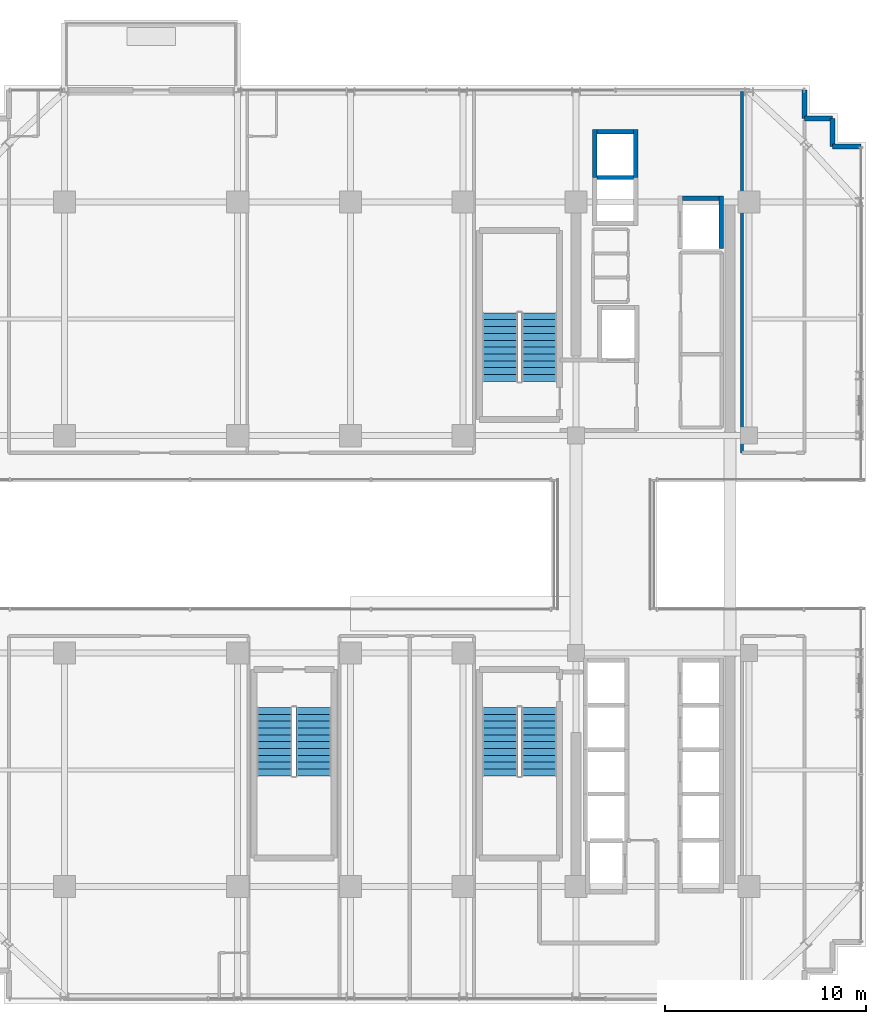
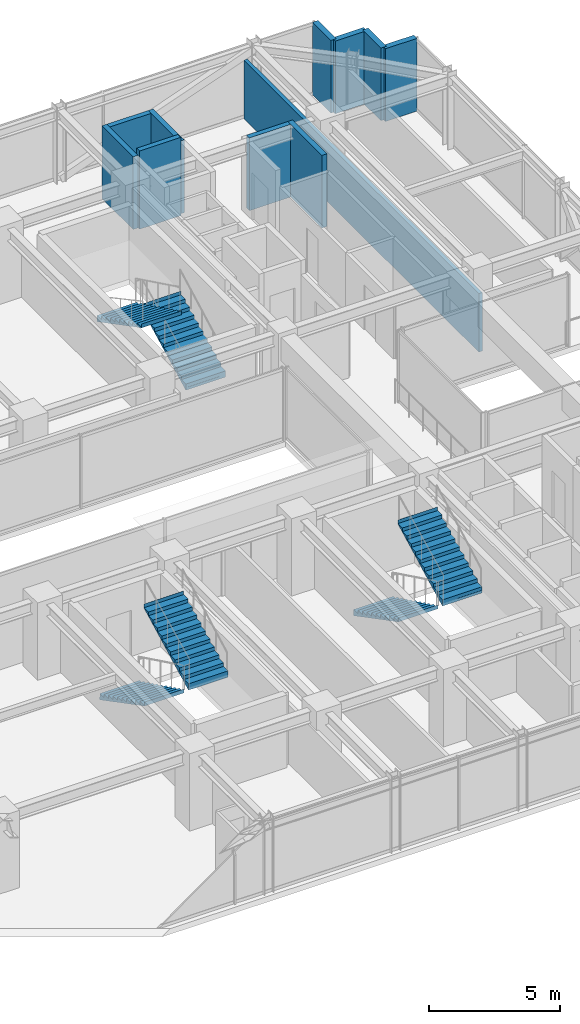
# One storey, part 33 of 37: 11 walls, 6 stair flights, 3 elements without a shape of their own.
"""IFC4 building model written with IfcOpenShell, lengths in metres."""

from ifc_helpers import new_model, si_unit, direction, frame, frame_2d, origin, place, context, subcontext, project, spatial, polyline, rectangle, outline, extrude, source, transform, mapped, material, layer, layer_set, type_object, element, aggregate, save


model = new_model("IFC4")

# Units and contexts
model_context = context("Model", 3, precision=1e-05, world=origin(), true_north=direction((0.0, 1.0)))
body_context = subcontext(model_context, "Body", "Model", "MODEL_VIEW")
ifc_project = project(units=[si_unit("LENGTHUNIT", "METRE"), si_unit("AREAUNIT", "SQUARE_METRE"), si_unit("VOLUMEUNIT", "CUBIC_METRE"), si_unit("PLANEANGLEUNIT", "RADIAN"), si_unit("MASSUNIT", "GRAM", prefix="KILO")], contexts=[model_context])

# Site, building, storey
site_placement = place(None, origin())
site = spatial("IfcSite", under=ifc_project, at=site_placement, CompositionType="ELEMENT")
building_placement = place(site_placement, origin())
building = spatial("IfcBuilding", under=site, at=building_placement, Name="Nahalor Promenade Grand Hotel", CompositionType="ELEMENT")
storey_placement = place(building_placement, frame((0.0, 0.0, 167.25)))
storey = spatial("IfcBuildingStorey", under=building, at=storey_placement, Name="L42", CompositionType="ELEMENT", Elevation=167.25)

# Walls
ifc_material_1 = material(Name="Concrete B-50 (C40/50)", Category="concrete")
ifc_layer_1 = layer(ifc_material_1, 0.219970703125)
ifc_layer_set_1 = layer_set([ifc_layer_1], Name="Concrete B-50 (C40/50)")
wall_type_1 = type_object("IfcWallType", Name="Wall-LiftShaft-220", PredefinedType="SHEAR", material=ifc_layer_set_1)
shared_shape_1 = source(origin(), body_context, "Body", "SweptSolid", [
    extrude(rectangle(XDim=1.820068359375, YDim=0.219970703125, at=frame_2d((0.91015625, 0.0))), origin(), (0.0, 0.0, 1.0), 3.64990234375),
])
wall_1_placement = place(storey_placement, frame((9.43994140625, 18.22509765625, 0.0), z_axis=(0.0, 0.0, 1.0), x_axis=(1.0, 0.0, 0.0)))
element("IfcWall", 1, at=wall_1_placement, inside=storey, type_object=wall_type_1, Name="L42 Lift OB1 Hoistway Wall N", PredefinedType="SHEAR", context=body_context, shape_type="MappedRepresentation", body=[
    mapped(shared_shape_1, transform((0.0, 0.0, 0.0), scale=1.0)),
])
shared_shape_2 = source(origin(), body_context, "Body", "SweptSolid", [
    extrude(rectangle(XDim=1.820068359375, YDim=0.219970703125, at=frame_2d((0.91015625, 0.0))), origin(), (0.0, 0.0, 1.0), 3.389892578125),
])
for number, where, z_axis, x_axis, name in (
    (2, (9.43994140625, 20.5, 0.0), (0.0, 0.0, 1.0), (1.0, 0.0, 0.0), "L42 Lift OB2 Hoistway Wall N"),
    (3, (13.68994140625, 17.199951171875, 0.0), (0.0, 0.0, 1.0), (1.0, 0.0, 0.0), "L42 Lift SV1 Hoistway Wall N"),
):
    element("IfcWall", number, at=place(storey_placement, frame(where, z_axis=z_axis, x_axis=x_axis)), inside=storey, type_object=wall_type_1, Name=name, PredefinedType="SHEAR", context=body_context, shape_type="MappedRepresentation", body=[
        mapped(shared_shape_2, transform((0.0, 0.0, 0.0), scale=1.0)),
    ])
shared_shape_3 = source(origin(), body_context, "Body", "SweptSolid", [
    extrude(rectangle(XDim=2.385009765625, YDim=0.219970703125, at=frame_2d((1.1923828125, 0.0))), origin(), (0.0, 0.0, 1.0), 3.389892578125),
])
for number, where, z_axis, x_axis, name in (
    (4, (9.330078125, 18.22509765625, 0.0), (0.0, 0.0, 1.0), (0.0, 1.0, 0.0), "L42 Lift OB2 Hoistway Wall W"),
    (5, (11.3701171875, 18.22509765625, 0.0), (0.0, 0.0, 1.0), (0.0, 1.0, 0.0), "L42 Lift OB2 Hoistway Wall E"),
):
    element("IfcWall", number, at=place(storey_placement, frame(where, z_axis=z_axis, x_axis=x_axis)), inside=storey, type_object=wall_type_1, Name=name, PredefinedType="SHEAR", context=body_context, shape_type="MappedRepresentation", body=[
        mapped(shared_shape_3, transform((0.0, 0.0, 0.0), scale=1.0)),
    ])
shared_shape_4 = source(origin(), body_context, "Body", "SweptSolid", [
    extrude(rectangle(XDim=2.610107421875, YDim=0.219970703125, at=frame_2d((1.30517578125, 0.0))), origin(), (0.0, 0.0, 1.0), 3.389892578125),
])
wall_2_placement = place(storey_placement, frame((15.6201171875, 14.699951171875, 0.0), z_axis=(0.0, 0.0, 1.0), x_axis=(0.0, 1.0, 0.0)))
element("IfcWall", 6, at=wall_2_placement, inside=storey, type_object=wall_type_1, Name="L42 Lift SV1 Hoistway Wall E", PredefinedType="SHEAR", context=body_context, shape_type="MappedRepresentation", body=[
    mapped(shared_shape_4, transform((0.0, 0.0, 0.0), scale=1.0)),
])
ifc_material_2 = material(Name="Concrete B-40 (C32/40)", Category="concrete")
ifc_layer_2 = layer(ifc_material_2, 0.25)
ifc_layer_set_2 = layer_set([ifc_layer_2], Name="Concrete B-40 (C32/40)")
wall_type_2 = type_object("IfcWallType", Name="Wall-BronzePier-250", PredefinedType="STANDARD", material=ifc_layer_set_2)
shared_shape_5 = source(origin(), body_context, "Body", "SweptSolid", [
    extrude(rectangle(XDim=1.400146484375, YDim=0.25, at=frame_2d((0.7001953125, 0.0))), origin(), (0.0, 0.0, 1.0), 3.389892578125),
])
for number, where, z_axis, x_axis, name in (
    (7, (21.159912109375, 19.760009765625, 0.0), (0.0, 0.0, 1.0), (1.0, 0.0, 0.0), "W-L42-SR-05"),
    (8, (19.760009765625, 21.159912109375, 0.0), (0.0, 0.0, 1.0), (0.0, 1.0, 0.0), "W-L42-SR-08"),
):
    element("IfcWall", number, at=place(storey_placement, frame(where, z_axis=z_axis, x_axis=x_axis)), inside=storey, type_object=wall_type_2, Name=name, PredefinedType="STANDARD", context=body_context, shape_type="MappedRepresentation", body=[
        mapped(shared_shape_5, transform((0.0, 0.0, 0.0), scale=1.0)),
    ])
shared_shape_6 = source(origin(), body_context, "Body", "SweptSolid", [
    extrude(rectangle(XDim=1.39990234375, YDim=0.25, at=frame_2d((0.699951171875, 0.0))), origin(), (0.0, 0.0, 1.0), 3.389892578125),
])
for number, where, z_axis, x_axis, name in (
    (9, (21.159912109375, 19.760009765625, 0.0), (0.0, 0.0, 1.0), (0.0, 1.0, 0.0), "W-L42-SR-06"),
    (10, (19.760009765625, 21.159912109375, 0.0), (0.0, 0.0, 1.0), (1.0, 0.0, 0.0), "W-L42-SR-07"),
):
    element("IfcWall", number, at=place(storey_placement, frame(where, z_axis=z_axis, x_axis=x_axis)), inside=storey, type_object=wall_type_2, Name=name, PredefinedType="STANDARD", context=body_context, shape_type="MappedRepresentation", body=[
        mapped(shared_shape_6, transform((0.0, 0.0, 0.0), scale=1.0)),
    ])
ifc_material_3 = material(Name="Acoustic Mineral Gypsum", Category="gypsum")
ifc_layer_3 = layer(ifc_material_3, 0.159912109375)
ifc_layer_set_3 = layer_set([ifc_layer_3], Name="Acoustic Mineral Gypsum")
wall_type_3 = type_object("IfcWallType", Name="Wall-PartCorridor-160", PredefinedType="PARTITIONING", material=ifc_layer_set_3)
shared_shape_7 = source(origin(), body_context, "Body", "SweptSolid", [
    extrude(rectangle(XDim=17.949951171875, YDim=0.159912109375, at=frame_2d((8.97509765625, 0.0))), origin(), (0.0, 0.0, 1.0), 2.72998046875),
])
wall_3_placement = place(storey_placement, frame((16.64990234375, 4.550048828125, 0.0), z_axis=(0.0, 0.0, 1.0), x_axis=(0.0, 1.0, 0.0)))
element("IfcWall", 11, at=wall_3_placement, inside=storey, type_object=wall_type_3, Name="W-L42-ENE-W", PredefinedType="PARTITIONING", context=body_context, shape_type="MappedRepresentation", body=[
    mapped(shared_shape_7, transform((0.0, 0.0, 0.0), scale=1.0)),
])

# Stair, stair flights
stair_type_1 = type_object("IfcStairType", Name="Stair-ST1", PredefinedType="HALF_TURN_STAIR", material=ifc_material_1)
stair_1_placement = place(storey_placement, origin())
stair_1 = element("IfcStair", 12, at=stair_1_placement, inside=storey, type_object=stair_type_1, Name="L42 ST1", PredefinedType="HALF_TURN_STAIR")
ifc_layer_4 = layer(ifc_material_1, 0.179931640625)
ifc_layer_set_4 = layer_set([ifc_layer_4], Name="Concrete B-50 (C40/50)")
stair_flight_type_1 = type_object("IfcStairFlightType", Name="Flight-ST1", PredefinedType="STRAIGHT", material=ifc_layer_set_4)
shared_shape_8 = source(origin(), body_context, "Body", "SweptSolid", [
    extrude(outline(polyline([(-0.00390625, -0.1201171875), (-0.00390625, 0.0), (0.0, 0.0), (0.0, 0.166015625), (0.340087890625, 0.166015625), (0.340087890625, 0.331787109375), (0.679931640625, 0.331787109375), (0.679931640625, 0.497802734375), (1.02001953125, 0.497802734375), (1.02001953125, 0.66357421875), (1.360107421875, 0.66357421875), (1.360107421875, 0.82958984375), (1.699951171875, 0.82958984375), (1.699951171875, 0.995361328125), (2.0400390625, 0.995361328125), (2.0400390625, 1.161376953125), (2.3798828125, 1.161376953125), (2.3798828125, 1.327392578125), (2.719970703125, 1.327392578125), (2.719970703125, 1.4931640625), (3.06005859375, 1.4931640625), (3.06005859375, 1.6591796875), (3.39990234375, 1.6591796875), (3.39990234375, 1.824951171875), (3.404052734375, 1.824951171875), (3.404052734375, 1.64501953125), (0.02001953125, -0.1201171875), (-0.00390625, -0.1201171875)])), frame((0.0, 0.875, 0.0), z_axis=(0.0, -1.0, 0.0), x_axis=(1.0, 0.0, 0.0)), (0.0, 0.0, 1.0), 1.75),
])
stair_flight_1_placement = place(storey_placement, frame((6.574951171875, 8.10009765625, 0.0), z_axis=(0.0, 0.0, 1.0), x_axis=(0.0, 1.0, 0.0)))
stair_flight_1 = element("IfcStairFlight", 13, at=stair_flight_1_placement, type_object=stair_flight_type_1, Name="ST1 flight 1", NumberOfRisers=11, NumberOfTreads=10, PredefinedType="STRAIGHT", RiserHeight=0.165909091, TreadLength=0.34, context=body_context, shape_type="MappedRepresentation", body=[
    mapped(shared_shape_8, transform((0.0, 0.0, 0.0), scale=1.0)),
])
stair_flight_2_placement = place(storey_placement, frame((4.625, 11.5, 1.824951171875), z_axis=(0.0, 0.0, 1.0), x_axis=(0.0, -1.0, 0.0)))
stair_flight_2 = element("IfcStairFlight", 14, at=stair_flight_2_placement, type_object=stair_flight_type_1, Name="ST1 flight 2", NumberOfRisers=11, NumberOfTreads=10, PredefinedType="STRAIGHT", RiserHeight=0.165909091, TreadLength=0.34, context=body_context, shape_type="MappedRepresentation", body=[
    mapped(shared_shape_8, transform((0.0, 0.0, 0.0), scale=1.0)),
])
aggregate(stair_1, [stair_flight_1, stair_flight_2])

stair_type_2 = type_object("IfcStairType", Name="Stair-ST2", PredefinedType="HALF_TURN_STAIR", material=ifc_material_1)
stair_2_placement = place(storey_placement, origin())
stair_2 = element("IfcStair", 15, at=stair_2_placement, inside=storey, type_object=stair_type_2, Name="L42 ST2", PredefinedType="HALF_TURN_STAIR")
ifc_layer_5 = layer(ifc_material_1, 0.18994140625)
ifc_layer_set_5 = layer_set([ifc_layer_5], Name="Concrete B-50 (C40/50)")
stair_flight_type_2 = type_object("IfcStairFlightType", Name="Flight-ST2", PredefinedType="STRAIGHT", material=ifc_layer_set_5)
shared_shape_9 = source(origin(), body_context, "Body", "SweptSolid", [
    extrude(outline(polyline([(-0.00390625, -0.1201171875), (-0.00390625, 0.0), (0.0, 0.0), (0.0, 0.166015625), (0.340087890625, 0.166015625), (0.340087890625, 0.331787109375), (0.679931640625, 0.331787109375), (0.679931640625, 0.497802734375), (1.02001953125, 0.497802734375), (1.02001953125, 0.66357421875), (1.360107421875, 0.66357421875), (1.360107421875, 0.82958984375), (1.699951171875, 0.82958984375), (1.699951171875, 0.995361328125), (2.0400390625, 0.995361328125), (2.0400390625, 1.161376953125), (2.3798828125, 1.161376953125), (2.3798828125, 1.327392578125), (2.719970703125, 1.327392578125), (2.719970703125, 1.4931640625), (3.06005859375, 1.4931640625), (3.06005859375, 1.6591796875), (3.39990234375, 1.6591796875), (3.39990234375, 1.824951171875), (3.404052734375, 1.824951171875), (3.404052734375, 1.64501953125), (0.02001953125, -0.1201171875), (-0.00390625, -0.1201171875)])), frame((0.0, 0.875, 0.0), z_axis=(0.0, -1.0, 0.0), x_axis=(1.0, 0.0, 0.0)), (0.0, 0.0, 1.0), 1.75),
])
stair_flight_3_placement = place(storey_placement, frame((4.625, -8.10009765625, 0.0), z_axis=(0.0, 0.0, 1.0), x_axis=(0.0, -1.0, 0.0)))
stair_flight_3 = element("IfcStairFlight", 16, at=stair_flight_3_placement, type_object=stair_flight_type_2, Name="ST2 flight 1", NumberOfRisers=11, NumberOfTreads=10, PredefinedType="STRAIGHT", RiserHeight=0.165909091, TreadLength=0.34, context=body_context, shape_type="MappedRepresentation", body=[
    mapped(shared_shape_9, transform((0.0, 0.0, 0.0), scale=1.0)),
])
stair_flight_4_placement = place(storey_placement, frame((6.574951171875, -11.5, 1.824951171875), z_axis=(0.0, 0.0, 1.0), x_axis=(0.0, 1.0, 0.0)))
stair_flight_4 = element("IfcStairFlight", 17, at=stair_flight_4_placement, type_object=stair_flight_type_2, Name="ST2 flight 2", NumberOfRisers=11, NumberOfTreads=10, PredefinedType="STRAIGHT", RiserHeight=0.165909091, TreadLength=0.34, context=body_context, shape_type="MappedRepresentation", body=[
    mapped(shared_shape_9, transform((0.0, 0.0, 0.0), scale=1.0)),
])
aggregate(stair_2, [stair_flight_3, stair_flight_4])

stair_type_3 = type_object("IfcStairType", Name="Stair-ST3", PredefinedType="HALF_TURN_STAIR", material=ifc_material_1)
stair_3_placement = place(storey_placement, origin())
stair_3 = element("IfcStair", 18, at=stair_3_placement, inside=storey, type_object=stair_type_3, Name="L42 ST3", PredefinedType="HALF_TURN_STAIR")
ifc_layer_6 = layer(ifc_material_1, 0.199951171875)
ifc_layer_set_6 = layer_set([ifc_layer_6], Name="Concrete B-50 (C40/50)")
stair_flight_type_3 = type_object("IfcStairFlightType", Name="Flight-ST3", PredefinedType="STRAIGHT", material=ifc_layer_set_6)
shared_shape_10 = source(origin(), body_context, "Body", "SweptSolid", [
    extrude(outline(polyline([(-0.00390625, -0.1201171875), (-0.00390625, 0.0), (0.0, 0.0), (0.0, 0.166015625), (0.340087890625, 0.166015625), (0.340087890625, 0.331787109375), (0.679931640625, 0.331787109375), (0.679931640625, 0.497802734375), (1.02001953125, 0.497802734375), (1.02001953125, 0.66357421875), (1.360107421875, 0.66357421875), (1.360107421875, 0.82958984375), (1.699951171875, 0.82958984375), (1.699951171875, 0.995361328125), (2.0400390625, 0.995361328125), (2.0400390625, 1.161376953125), (2.3798828125, 1.161376953125), (2.3798828125, 1.327392578125), (2.719970703125, 1.327392578125), (2.719970703125, 1.4931640625), (3.06005859375, 1.4931640625), (3.06005859375, 1.6591796875), (3.39990234375, 1.6591796875), (3.39990234375, 1.824951171875), (3.404052734375, 1.824951171875), (3.404052734375, 1.64501953125), (0.02001953125, -0.1201171875), (-0.00390625, -0.1201171875)])), frame((0.0, 0.875, 0.0), z_axis=(0.0, -1.0, 0.0), x_axis=(1.0, 0.0, 0.0)), (0.0, 0.0, 1.0), 1.75),
])
stair_flight_5_placement = place(storey_placement, frame((-6.574951171875, -8.10009765625, 0.0), z_axis=(0.0, 0.0, 1.0), x_axis=(0.0, -1.0, 0.0)))
stair_flight_5 = element("IfcStairFlight", 19, at=stair_flight_5_placement, type_object=stair_flight_type_3, Name="ST3 flight 1", NumberOfRisers=11, NumberOfTreads=10, PredefinedType="STRAIGHT", RiserHeight=0.165909091, TreadLength=0.34, context=body_context, shape_type="MappedRepresentation", body=[
    mapped(shared_shape_10, transform((0.0, 0.0, 0.0), scale=1.0)),
])
stair_flight_6_placement = place(storey_placement, frame((-4.625, -11.5, 1.824951171875), z_axis=(0.0, 0.0, 1.0), x_axis=(0.0, 1.0, 0.0)))
stair_flight_6 = element("IfcStairFlight", 20, at=stair_flight_6_placement, type_object=stair_flight_type_3, Name="ST3 flight 2", NumberOfRisers=11, NumberOfTreads=10, PredefinedType="STRAIGHT", RiserHeight=0.165909091, TreadLength=0.34, context=body_context, shape_type="MappedRepresentation", body=[
    mapped(shared_shape_10, transform((0.0, 0.0, 0.0), scale=1.0)),
])
aggregate(stair_3, [stair_flight_5, stair_flight_6])

save(model, "model.ifc")
